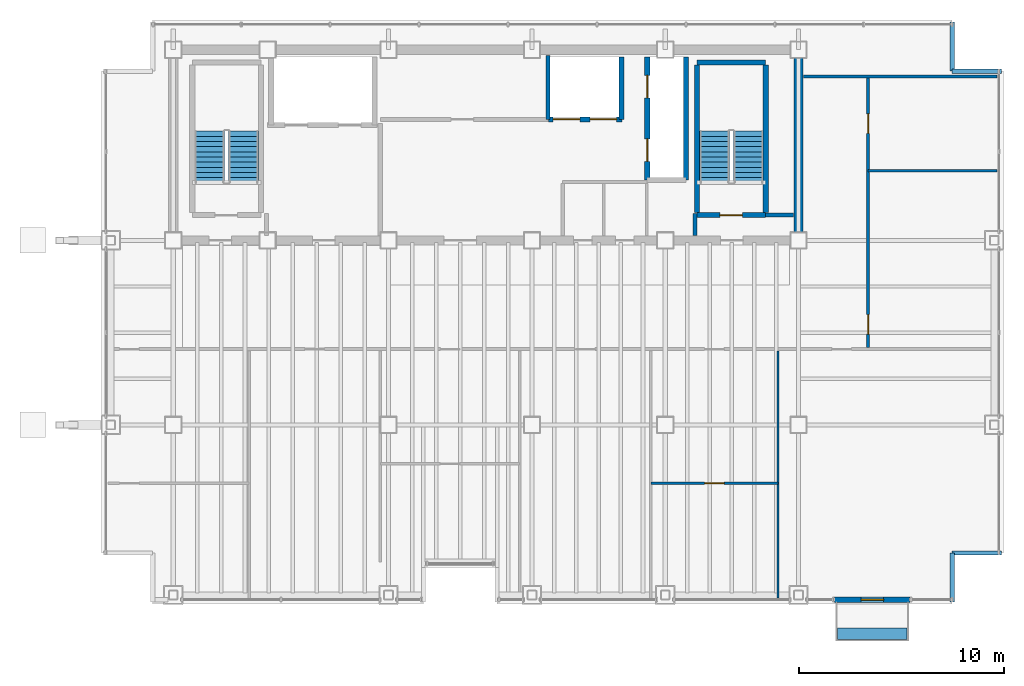
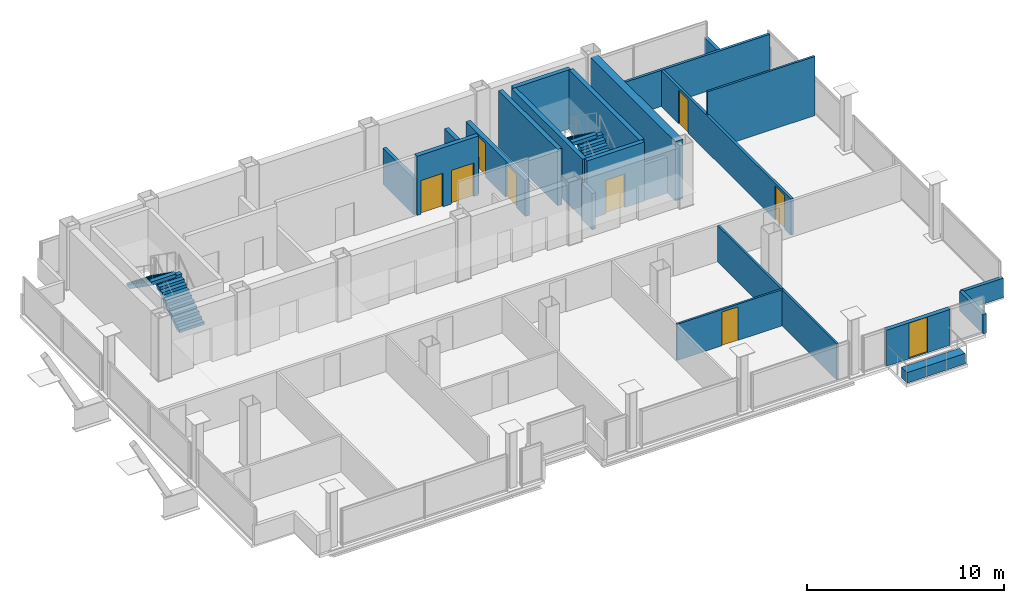
# One storey, part 15 of 17: 22 walls, 9 doors, 4 stair flights, 1 discrete accessory, 9 openings, 2 elements without a shape of their own.
"""IFC4 building model written with IfcOpenShell, lengths in metres."""

import ifcopenshell
import ifcopenshell.guid

model = None  # the IFC model being written
_history = None  # IfcOwnerHistory: only IFC2X3 demands one
_inside = {}  # id of a spatial element -> (the spatial element, [elements in it])
_under = {}  # id of a project, library or spatial element -> (it, [spatial elements below it])
_declared = {}  # id of a project -> (the project, [libraries it declares])
_typed = {}  # id of a type object -> (the type object, [elements of that type])
_made_of = {}  # id of a material, layer set ... -> (it, [elements and type objects made of it])


def new_model(schema):
    """Start an empty IFC model of exactly this schema.

    Asked for "IFC4X3", IfcOpenShell would pick the latest addendum, in which some entities
    have other attributes; the version numbers below select the first issue.
    IFC2X3 requires an IfcOwnerHistory on every rooted entity: one is made here for all.
    """
    global model, _history
    if schema == "IFC4X3":
        model = ifcopenshell.file(schema_version=(4, 3, 0, 0))
    else:
        model = ifcopenshell.file(schema=schema)
    _inside.clear()
    _under.clear()
    _declared.clear()
    _typed.clear()
    _made_of.clear()
    _history = None
    if model.schema == "IFC2X3":
        org = make("IfcOrganization", Name="unknown")
        user = make(
            "IfcPersonAndOrganization",
            ThePerson=make("IfcPerson", FamilyName="unknown"),
            TheOrganization=org,
        )
        app = make(
            "IfcApplication",
            ApplicationDeveloper=org,
            Version="unknown",
            ApplicationFullName="unknown",
            ApplicationIdentifier="unknown",
        )
        _history = make(
            "IfcOwnerHistory",
            OwningUser=user,
            OwningApplication=app,
            ChangeAction="ADDED",
            CreationDate=0,
        )
    return model


def make(cls, **values):
    """One entity of the class cls with the attributes given. An attribute that is None is left unset."""
    return model.create_entity(
        cls, **{name: value for name, value in values.items() if value is not None}
    )


def rooted(cls, **values):
    """An entity with a GlobalId (a new one), such as an element, a storey or a relation."""
    return make(cls, GlobalId=ifcopenshell.guid.new(), OwnerHistory=_history, **values)


def si_unit(unit_type, name, prefix=None):
    """IfcSIUnit, for example si_unit("LENGTHUNIT", "METRE", prefix="MILLI")."""
    return make("IfcSIUnit", UnitType=unit_type, Prefix=prefix, Name=name)


def assignment(units):
    """IfcUnitAssignment: the units of a project."""
    return None if units is None else make("IfcUnitAssignment", Units=units)


def point(xyz):
    """IfcCartesianPoint."""
    return None if xyz is None else make("IfcCartesianPoint", Coordinates=xyz)


def direction(xyz):
    """IfcDirection."""
    return None if xyz is None else make("IfcDirection", DirectionRatios=xyz)


def frame(location, z_axis=None, x_axis=None):
    """IfcAxis2Placement3D, a coordinate frame: its origin and axes. An axis left out is left unset."""
    return make(
        "IfcAxis2Placement3D",
        Location=point(location),
        Axis=direction(z_axis),
        RefDirection=direction(x_axis),
    )


def frame_2d(location, x_axis=None):
    """IfcAxis2Placement2D, a coordinate frame in the plane: its origin and x axis."""
    return make(
        "IfcAxis2Placement2D", Location=point(location), RefDirection=direction(x_axis)
    )


def origin():
    """The frame at (0, 0, 0) with its axes left unset."""
    return frame((0.0, 0.0, 0.0))


def origin_2d():
    """The frame at (0, 0) in the plane with its x axis left unset."""
    return frame_2d((0.0, 0.0))


def place(relative_to, where):
    """IfcLocalPlacement: puts the frame where relative to a parent placement (None: the world)."""
    return make(
        "IfcLocalPlacement", PlacementRelTo=relative_to, RelativePlacement=where
    )


def context(
    kind, dimensions, precision=None, world=None, true_north=None, identifier=None
):
    """IfcGeometricRepresentationContext, for example the 3D "Model" context."""
    return make(
        "IfcGeometricRepresentationContext",
        ContextIdentifier=identifier,
        ContextType=kind,
        CoordinateSpaceDimension=dimensions,
        Precision=precision,
        WorldCoordinateSystem=world,
        TrueNorth=true_north,
    )


def subcontext(parent, identifier, kind, view, scale=None):
    """IfcGeometricRepresentationSubContext, for example "Body" below "Model"."""
    return make(
        "IfcGeometricRepresentationSubContext",
        ContextIdentifier=identifier,
        ContextType=kind,
        ParentContext=parent,
        TargetScale=scale,
        TargetView=view,
    )


def project(units=None, contexts=None):
    """IfcProject with its units and contexts."""
    return rooted(
        "IfcProject",
        Name="project",
        RepresentationContexts=contexts,
        UnitsInContext=assignment(units),
    )


def spatial(cls, under=None, at=None, **own):
    """A site, building, storey or space (cls), placed at a placement, below another one or the project."""
    s = rooted(cls, ObjectPlacement=at, **own)
    if under is not None:
        _under.setdefault(under.id(), (under, []))[1].append(s)
    return s


def polyline(points):
    """IfcPolyline through the points."""
    return make("IfcPolyline", Points=[point(p) for p in points])


def profile(cls, at=None, kind="AREA", **sizes):
    """A parametric profile (cls). Its sizes go by their IFC names, for example OverallWidth=200.0."""
    return make(cls, ProfileType=kind, Position=at, **sizes)


def rectangle(**sizes):
    """IfcRectangleProfileDef."""
    return profile("IfcRectangleProfileDef", **sizes)


def outline(outer, holes=None, kind="AREA"):
    """IfcArbitraryClosedProfileDef: a profile drawn as a closed curve; with holes, ...WithVoids."""
    if holes is None:
        return make("IfcArbitraryClosedProfileDef", ProfileType=kind, OuterCurve=outer)
    return make(
        "IfcArbitraryProfileDefWithVoids",
        ProfileType=kind,
        OuterCurve=outer,
        InnerCurves=holes,
    )


def extrude(swept, where, along, depth):
    """IfcExtrudedAreaSolid: the profile swept, set in the frame where, extruded along a direction by depth."""
    return make(
        "IfcExtrudedAreaSolid",
        SweptArea=swept,
        Position=where,
        ExtrudedDirection=direction(along),
        Depth=depth,
    )


def shape(context_of_items, identifier, shape_type, items):
    """IfcShapeRepresentation: the items that make up one representation, for example the "Body"."""
    return make(
        "IfcShapeRepresentation",
        ContextOfItems=context_of_items,
        RepresentationIdentifier=identifier,
        RepresentationType=shape_type,
        Items=items,
    )


def material(Name=None, Category=None):
    """IfcMaterial."""
    return make("IfcMaterial", Name=Name, Category=Category)


def layer(
    of_material, thickness, ventilated=None, Name=None, Category=None, Priority=None
):
    """IfcMaterialLayer: one layer of a wall or slab, of a material (None: an air gap)."""
    return make(
        "IfcMaterialLayer",
        Material=of_material,
        LayerThickness=thickness,
        IsVentilated=ventilated,
        Name=Name,
        Category=Category,
        Priority=Priority,
    )


def layer_set(layers, Name=None):
    """IfcMaterialLayerSet."""
    return make("IfcMaterialLayerSet", MaterialLayers=layers, LayerSetName=Name)


def made_of(thing, what):
    """Note that an element or type object is made of a material, layer set ...; save() writes the relation."""
    if what is not None:
        _made_of.setdefault(what.id(), (what, []))[1].append(thing)
    return thing


def type_object(cls, material=None, **own):
    """A type object (cls), such as IfcWallType, which elements share."""
    return made_of(rooted(cls, **own), material)


def element(
    cls,
    number,
    at=None,
    inside=None,
    cuts=None,
    type_object=None,
    material=None,
    context=None,
    identifier="Body",
    shape_type=None,
    held_by="IfcProductDefinitionShape",
    body=None,
    shapes=None,
    **own,
):
    """One element of the class cls, such as IfcWall. Its Tag is "e" and its number.

    at: its placement. inside: the storey or other place that contains it. cuts: it is an
    opening in that element (IfcRelVoidsElement). A single representation is given by context,
    identifier, shape_type and body (its items); several are given by shapes. held_by: the class
    of the entity that holds the representations. save() writes the other relations.
    """
    e = rooted(cls, Tag="e%d" % number, ObjectPlacement=at, **own)
    if body is not None:
        shapes = [shape(context, identifier, shape_type, body)]
    if shapes is not None:
        e.Representation = make(held_by, Representations=shapes)
    if inside is not None:
        _inside.setdefault(inside.id(), (inside, []))[1].append(e)
    if cuts is not None:
        rooted(
            "IfcRelVoidsElement", RelatingBuildingElement=cuts, RelatedOpeningElement=e
        )
    if type_object is not None:
        _typed.setdefault(type_object.id(), (type_object, []))[1].append(e)
    return made_of(e, material)


def fill(opening, filler):
    """IfcRelFillsElement: the door or window that sits in an opening."""
    return rooted(
        "IfcRelFillsElement",
        RelatingOpeningElement=opening,
        RelatedBuildingElement=filler,
    )


def aggregate(whole, parts):
    """IfcRelAggregates: a whole, such as a stair, and the parts it consists of."""
    return rooted("IfcRelAggregates", RelatingObject=whole, RelatedObjects=parts)


def save(model, path):
    """Write the relations noted so far, then the file.

    IfcRelAggregates (storeys below a building ...), IfcRelContainedInSpatialStructure (elements
    in a storey), IfcRelDefinesByType, IfcRelAssociatesMaterial and IfcRelDeclares: one each for
    every whole, place, type object, material and project.
    """
    for whole, parts in _under.values():
        aggregate(whole, parts)
    for where, things in _inside.values():
        rooted(
            "IfcRelContainedInSpatialStructure",
            RelatedElements=things,
            RelatingStructure=where,
        )
    for kind, things in _typed.values():
        rooted("IfcRelDefinesByType", RelatedObjects=things, RelatingType=kind)
    for what, things in _made_of.values():
        rooted("IfcRelAssociatesMaterial", RelatedObjects=things, RelatingMaterial=what)
    for by, libraries in _declared.values():
        rooted("IfcRelDeclares", RelatingContext=by, RelatedDefinitions=libraries)
    model.write(path)


model = new_model("IFC4")

# Units and contexts
model_context = context("Model", 3, precision=1e-05, world=origin(), true_north=direction((0.0, 1.0)))
body_context = subcontext(model_context, "Body", "Model", "MODEL_VIEW")
ifc_project = project(units=[si_unit("LENGTHUNIT", "METRE"), si_unit("AREAUNIT", "SQUARE_METRE"), si_unit("VOLUMEUNIT", "CUBIC_METRE"), si_unit("PLANEANGLEUNIT", "RADIAN"), si_unit("MASSUNIT", "GRAM", prefix="KILO")], contexts=[model_context])

# Site, building, storey
site_placement = place(None, origin())
site = spatial("IfcSite", under=ifc_project, at=site_placement, CompositionType="ELEMENT")
building_placement = place(site_placement, origin())
building = spatial("IfcBuilding", under=site, at=building_placement, Name="Noeulbin Bourse Tower", CompositionType="ELEMENT")
storey_placement = place(building_placement, frame((0.0, 0.0, 226.699951171875)))
storey = spatial("IfcBuildingStorey", under=building, at=storey_placement, Name="L56", CompositionType="ELEMENT", Elevation=226.699951171875)

# Wall
ifc_material_1 = material(Name="Concrete C50/60", Category="concrete")
ifc_layer_1 = layer(ifc_material_1, 0.449951171875)
ifc_layer_set_1 = layer_set([ifc_layer_1], Name="Concrete C50/60")
wall_type_1 = type_object("IfcWallType", Name="WAL-CORE-450", PredefinedType="SHEAR", material=ifc_layer_set_1)
wall_1_placement = place(storey_placement, frame((44.0, 29.35009765625, 0.0), z_axis=(0.0, 0.0, 1.0), x_axis=(0.0, 1.0, 0.0)))
element("IfcWall", 1, at=wall_1_placement, inside=storey, type_object=wall_type_1, Name="Rear Core East Shear Wall L56", PredefinedType="SHEAR", context=body_context, shape_type="SweptSolid", body=[
    extrude(rectangle(XDim=8.599853515625, YDim=0.449951171875, at=frame_2d((4.2998046875, 0.0))), origin(), (0.0, 0.0, 1.0), 3.66015625),
])

# Wall, opening, door
ifc_material_2 = material(Name="Precast Concrete C40/50", Category="concrete")
ifc_layer_2 = layer(ifc_material_2, 0.25)
ifc_layer_set_2 = layer_set([ifc_layer_2], Name="Precast Concrete C40/50")
wall_type_2 = type_object("IfcWallType", Name="WAL-EXT-250", PredefinedType="STANDARD", material=ifc_layer_set_2)
wall_2_placement = place(storey_placement, frame((45.75, 11.469970703125, 0.0), z_axis=(0.0, 0.0, 1.0), x_axis=(1.0, 0.0, 0.0)))
wall_2 = element("IfcWall", 2, at=wall_2_placement, inside=storey, type_object=wall_type_2, Name="Balcony Threshold Wall L56", PredefinedType="STANDARD", context=body_context, shape_type="SweptSolid", body=[
    extrude(rectangle(XDim=3.699951171875, YDim=0.25, at=frame_2d((1.85009765625, 0.0))), origin(), (0.0, 0.0, 1.0), 2.219970703125),
])
opening_1_placement = place(wall_2_placement, frame((1.300048828125, 0.0, 0.0)))
opening_1 = element("IfcOpeningElement", 3, at=opening_1_placement, cuts=wall_2, Name="Opening BD-11", PredefinedType="OPENING", context=body_context, shape_type="SweptSolid", body=[
    extrude(rectangle(XDim=1.10009765625, YDim=2.199951171875, at=frame_2d((0.550048828125, 1.10009765625))), frame((0.0, 0.135009765625, 0.0), z_axis=(0.0, -1.0, 0.0), x_axis=(1.0, 0.0, 0.0)), (0.0, 0.0, 1.0), 0.27001953125),
])
ifc_material_3 = material(Name="Thermally Broken Aluminium Framed Glass", Category="aluminium")
door_type_1 = type_object("IfcDoorType", Name="DR-BAL-1100", OperationType="SINGLE_SWING_LEFT", PredefinedType="DOOR", material=ifc_material_3)
door_1_placement = place(opening_1_placement, origin())
door_1 = element("IfcDoor", 4, at=door_1_placement, inside=storey, type_object=door_type_1, Name="Tree-Balcony Access Door BD-L56", OperationType="SINGLE_SWING_RIGHT", OverallHeight=2.199951171875, OverallWidth=1.10009765625, PredefinedType="DOOR", context=body_context, shape_type="SweptSolid", body=[
    extrude(rectangle(XDim=1.10009765625, YDim=2.199951171875, at=frame_2d((0.550048828125, 1.10009765625))), frame((0.0, 0.02490234375, 0.0), z_axis=(0.0, -1.0, 0.0), x_axis=(1.0, 0.0, 0.0)), (0.0, 0.0, 1.0), 0.050048828125),
])
fill(opening_1, door_1)

# Walls
ifc_material_4 = material(Name="Concrete C40/50", Category="concrete")
ifc_layer_3 = layer(ifc_material_4, 0.199951171875)
ifc_layer_set_3 = layer_set([ifc_layer_3], Name="Concrete C40/50")
wall_type_3 = type_object("IfcWallType", Name="WAL-FIRE-200", PredefinedType="STANDARD", material=ifc_layer_set_3)
wall_3_placement = place(storey_placement, frame((42.39990234375, 30.239990234375, 0.0), z_axis=(0.0, 0.0, 1.0), x_axis=(1.0, 0.0, 0.0)))
element("IfcWall", 5, at=wall_3_placement, inside=storey, type_object=wall_type_3, Name="Interior Partition Wall L56-01", PredefinedType="STANDARD", context=body_context, shape_type="SweptSolid", body=[
    extrude(rectangle(XDim=1.364990234375, YDim=0.199951171875, at=frame_2d((0.6826171875, 0.0))), origin(), (0.0, 0.0, 1.0), 2.239990234375),
])
wall_4_placement = place(storey_placement, frame((38.949951171875, 29.235107421875, 0.0), z_axis=(0.0, 0.0, 1.0), x_axis=(0.0, 1.0, 0.0)))
element("IfcWall", 6, at=wall_4_placement, inside=storey, type_object=wall_type_3, Name="Interior Partition Wall L56-11", PredefinedType="STANDARD", context=body_context, shape_type="SweptSolid", body=[
    extrude(rectangle(XDim=1.06494140625, YDim=0.199951171875, at=frame_2d((0.532470703125, 0.0))), origin(), (0.0, 0.0, 1.0), 2.239990234375),
])
ifc_layer_4 = layer(ifc_material_4, 0.199951171875)
ifc_layer_set_4 = layer_set([ifc_layer_4], Name="Concrete C40/50")
wall_type_4 = type_object("IfcWallType", Name="WAL-PAR-200", PredefinedType="PARAPET", material=ifc_layer_set_4)
for number, where, z_axis, x_axis, name in (
    (7, (51.5, 11.35009765625, 0.0), (0.0, 0.0, 1.0), (0.0, 1.0, 0.0), "Corner Notch Parapet L56-SE1"),
    (8, (51.5, 13.75, 0.0), (0.0, 0.0, 1.0), (1.0, 0.0, 0.0), "Corner Notch Parapet L56-SE2"),
    (9, (51.5, 39.64990234375, 0.0), (0.0, 0.0, 1.0), (0.0, -1.0, 0.0), "Corner Notch Parapet L56-NE1"),
    (10, (51.5, 37.25, 0.0), (0.0, 0.0, 1.0), (1.0, 0.0, 0.0), "Corner Notch Parapet L56-NE2"),
):
    element("IfcWall", number, at=place(storey_placement, frame(where, z_axis=z_axis, x_axis=x_axis)), inside=storey, type_object=wall_type_4, Name=name, PredefinedType="PARAPET", context=body_context, shape_type="SweptSolid", body=[
        extrude(rectangle(XDim=2.39990234375, YDim=0.199951171875, at=frame_2d((1.199951171875, 0.0))), origin(), (0.0, 0.0, 1.0), 1.199951171875),
    ])

# Wall, opening, door
ifc_material_5 = material(Name="Steel Stud Gypsum Partition", Category="steel")
ifc_layer_5 = layer(ifc_material_5, 0.1201171875)
ifc_layer_set_5 = layer_set([ifc_layer_5], Name="Steel Stud Gypsum Partition")
wall_type_5 = type_object("IfcWallType", Name="WAL-PRT-120", PredefinedType="PARTITIONING", material=ifc_layer_set_5)
wall_5_placement = place(storey_placement, frame((36.800048828125, 17.14404296875, 0.0), z_axis=(0.0, 0.0, 1.0), x_axis=(1.0, 0.0, 0.0)))
wall_5 = element("IfcWall", 11, at=wall_5_placement, inside=storey, type_object=wall_type_5, Name="Interior Partition Wall L56-08", PredefinedType="PARTITIONING", context=body_context, shape_type="SweptSolid", body=[
    extrude(rectangle(XDim=6.199951171875, YDim=0.1201171875, at=frame_2d((3.10009765625, 0.0))), origin(), (0.0, 0.0, 1.0), 2.239990234375),
])
opening_2_placement = place(wall_5_placement, frame((2.625, 0.0, 0.0)))
opening_2 = element("IfcOpeningElement", 12, at=opening_2_placement, cuts=wall_5, Name="Opening ID-09", PredefinedType="OPENING", context=body_context, shape_type="SweptSolid", body=[
    extrude(rectangle(XDim=0.949951171875, YDim=2.080078125, at=frame_2d((0.47509765625, 1.0400390625))), frame((0.0, 0.070068359375, 0.0), z_axis=(0.0, -1.0, 0.0), x_axis=(1.0, 0.0, 0.0)), (0.0, 0.0, 1.0), 0.14013671875),
])
ifc_material_6 = material(Name="Acoustic Solid-Core Timber", Category="wood")
door_type_2 = type_object("IfcDoorType", Name="DR-SINGLE-950", OperationType="SINGLE_SWING_LEFT", PredefinedType="DOOR", material=ifc_material_6)
door_2_placement = place(opening_2_placement, origin())
door_2 = element("IfcDoor", 13, at=door_2_placement, inside=storey, type_object=door_type_2, Name="Interior Door L56-14", OperationType="SINGLE_SWING_LEFT", OverallHeight=2.080078125, OverallWidth=0.949951171875, PredefinedType="DOOR", context=body_context, shape_type="SweptSolid", body=[
    extrude(rectangle(XDim=0.949951171875, YDim=2.080078125, at=frame_2d((0.47509765625, 1.0400390625))), frame((0.0, 0.02490234375, 0.0), z_axis=(0.0, -1.0, 0.0), x_axis=(1.0, 0.0, 0.0)), (0.0, 0.0, 1.0), 0.050048828125),
])
fill(opening_2, door_2)

# Walls
wall_6_placement = place(storey_placement, frame((47.39990234375, 32.39990234375, 0.0), z_axis=(0.0, 0.0, 1.0), x_axis=(1.0, 0.0, 0.0)))
element("IfcWall", 14, at=wall_6_placement, inside=storey, type_object=wall_type_5, Name="Interior Partition Wall L56-09", PredefinedType="PARTITIONING", context=body_context, shape_type="SweptSolid", body=[
    extrude(rectangle(XDim=6.2900390625, YDim=0.1201171875, at=frame_2d((3.14501953125, 0.0))), origin(), (0.0, 0.0, 1.0), 3.66015625),
])
wall_7_placement = place(storey_placement, frame((43.0, 11.56005859375, 0.0), z_axis=(0.0, 0.0, 1.0), x_axis=(0.0, 1.0, 0.0)))
element("IfcWall", 15, at=wall_7_placement, inside=storey, type_object=wall_type_5, Name="Interior Partition Wall L56-21", PredefinedType="PARTITIONING", context=body_context, shape_type="SweptSolid", body=[
    extrude(rectangle(XDim=12.054931640625, YDim=0.1201171875, at=frame_2d((6.02734375, 0.0))), origin(), (0.0, 0.0, 1.0), 2.239990234375),
])
ifc_material_7 = material(Name="Steel Stud Acoustic Gypsum Board", Category="steel")
ifc_layer_6 = layer(ifc_material_7, 0.14990234375)
ifc_layer_set_6 = layer_set([ifc_layer_6], Name="Steel Stud Acoustic Gypsum Board")
wall_type_6 = type_object("IfcWallType", Name="WAL-PRT-150", PredefinedType="PARTITIONING", material=ifc_layer_set_6)
wall_8_placement = place(storey_placement, frame((44.235107421875, 37.0, 0.0), z_axis=(0.0, 0.0, 1.0), x_axis=(1.0, 0.0, 0.0)))
element("IfcWall", 16, at=wall_8_placement, inside=storey, type_object=wall_type_6, Name="Interior Partition Wall L56-05", PredefinedType="PARTITIONING", context=body_context, shape_type="SweptSolid", body=[
    extrude(rectangle(XDim=9.454833984375, YDim=0.14990234375, at=frame_2d((4.7275390625, 0.0))), origin(), (0.0, 0.0, 1.0), 2.239990234375),
])

# Wall, openings, doors
wall_9_placement = place(storey_placement, frame((47.39990234375, 23.784912109375, 0.0), z_axis=(0.0, 0.0, 1.0), x_axis=(0.0, 1.0, 0.0)))
wall_9 = element("IfcWall", 17, at=wall_9_placement, inside=storey, type_object=wall_type_6, Name="Interior Partition Wall L56-16", PredefinedType="PARTITIONING", context=body_context, shape_type="SweptSolid", body=[
    extrude(rectangle(XDim=13.130126953125, YDim=0.14990234375, at=frame_2d((6.56494140625, 0.0))), origin(), (0.0, 0.0, 1.0), 2.239990234375),
])
opening_3_placement = place(wall_9_placement, frame((0.639892578125, 0.0, 0.0)))
opening_3 = element("IfcOpeningElement", 18, at=opening_3_placement, cuts=wall_9, Name="Opening ID-09", PredefinedType="OPENING", context=body_context, shape_type="SweptSolid", body=[
    extrude(rectangle(XDim=0.949951171875, YDim=2.080078125, at=frame_2d((0.47509765625, 1.0400390625))), frame((0.0, 0.0849609375, 0.0), z_axis=(0.0, -1.0, 0.0), x_axis=(1.0, 0.0, 0.0)), (0.0, 0.0, 1.0), 0.169921875),
])
opening_4_placement = place(wall_9_placement, frame((10.43994140625, 0.0, 0.0)))
opening_4 = element("IfcOpeningElement", 19, at=opening_4_placement, cuts=wall_9, Name="Opening ID-09", PredefinedType="OPENING", context=body_context, shape_type="SweptSolid", body=[
    extrude(rectangle(XDim=0.949951171875, YDim=2.080078125, at=frame_2d((0.47509765625, 1.0400390625))), frame((0.0, 0.0849609375, 0.0), z_axis=(0.0, -1.0, 0.0), x_axis=(1.0, 0.0, 0.0)), (0.0, 0.0, 1.0), 0.169921875),
])
door_3_placement = place(opening_3_placement, origin())
door_3 = element("IfcDoor", 20, at=door_3_placement, inside=storey, type_object=door_type_2, Name="Interior Door L56-17", OperationType="SINGLE_SWING_RIGHT", OverallHeight=2.080078125, OverallWidth=0.949951171875, PredefinedType="DOOR", context=body_context, shape_type="SweptSolid", body=[
    extrude(rectangle(XDim=0.949951171875, YDim=2.080078125, at=frame_2d((0.47509765625, 1.0400390625))), frame((0.0, 0.02490234375, 0.0), z_axis=(0.0, -1.0, 0.0), x_axis=(1.0, 0.0, 0.0)), (0.0, 0.0, 1.0), 0.050048828125),
])
fill(opening_3, door_3)
door_4_placement = place(opening_4_placement, origin())
door_4 = element("IfcDoor", 21, at=door_4_placement, inside=storey, type_object=door_type_2, Name="Interior Door L56-18", OperationType="SINGLE_SWING_LEFT", OverallHeight=2.080078125, OverallWidth=0.949951171875, PredefinedType="DOOR", context=body_context, shape_type="SweptSolid", body=[
    extrude(rectangle(XDim=0.949951171875, YDim=2.080078125, at=frame_2d((0.47509765625, 1.0400390625))), frame((0.0, 0.02490234375, 0.0), z_axis=(0.0, -1.0, 0.0), x_axis=(1.0, 0.0, 0.0)), (0.0, 0.0, 1.0), 0.050048828125),
])
fill(opening_4, door_4)

# Wall, opening, door
ifc_layer_7 = layer(ifc_material_4, 0.25)
ifc_layer_set_7 = layer_set([ifc_layer_7], Name="Concrete C40/50")
wall_type_7 = type_object("IfcWallType", Name="WAL-SHFT-250", PredefinedType="STANDARD", material=ifc_layer_set_7)
wall_10_placement = place(storey_placement, frame((39.06005859375, 30.235107421875, 0.0), z_axis=(0.0, 0.0, 1.0), x_axis=(1.0, 0.0, 0.0)))
wall_10 = element("IfcWall", 22, at=wall_10_placement, inside=storey, type_object=wall_type_7, Name="Stair ST-2 South Shaft Wall L56", PredefinedType="STANDARD", context=body_context, shape_type="SweptSolid", body=[
    extrude(rectangle(XDim=3.33984375, YDim=0.25, at=frame_2d((1.669921875, 0.0))), origin(), (0.0, 0.0, 1.0), 3.66015625),
])
opening_5_placement = place(wall_10_placement, frame((1.10009765625, 0.0, 0.0)))
opening_5 = element("IfcOpeningElement", 23, at=opening_5_placement, cuts=wall_10, Name="Opening FD-11", PredefinedType="OPENING", context=body_context, shape_type="SweptSolid", body=[
    extrude(rectangle(XDim=1.10009765625, YDim=2.080078125, at=frame_2d((0.550048828125, 1.0400390625))), frame((0.0, 0.135009765625, 0.0), z_axis=(0.0, -1.0, 0.0), x_axis=(1.0, 0.0, 0.0)), (0.0, 0.0, 1.0), 0.27001953125),
])
ifc_material_8 = material(Name="Fire-Rated Insulated Steel", Category="steel")
door_type_3 = type_object("IfcDoorType", Name="DR-FD60-1100", OperationType="SINGLE_SWING_LEFT", PredefinedType="DOOR", material=ifc_material_8)
door_5_placement = place(opening_5_placement, origin())
door_5 = element("IfcDoor", 24, at=door_5_placement, inside=storey, type_object=door_type_3, Name="Protected Stair Entry Door ST2-L56", OperationType="SINGLE_SWING_LEFT", OverallHeight=2.080078125, OverallWidth=1.10009765625, PredefinedType="DOOR", context=body_context, shape_type="SweptSolid", body=[
    extrude(rectangle(XDim=1.10009765625, YDim=2.080078125, at=frame_2d((0.550048828125, 1.0400390625))), frame((0.0, 0.02490234375, 0.0), z_axis=(0.0, -1.0, 0.0), x_axis=(1.0, 0.0, 0.0)), (0.0, 0.0, 1.0), 0.050048828125),
])
fill(opening_5, door_5)

# Walls
wall_11_placement = place(storey_placement, frame((39.06005859375, 37.6689453125, 0.0), z_axis=(0.0, 0.0, 1.0), x_axis=(1.0, 0.0, 0.0)))
element("IfcWall", 25, at=wall_11_placement, inside=storey, type_object=wall_type_7, Name="Stair ST-2 North Shaft Wall L56", PredefinedType="STANDARD", context=body_context, shape_type="SweptSolid", body=[
    extrude(rectangle(XDim=3.33984375, YDim=0.25, at=frame_2d((1.669921875, 0.0))), origin(), (0.0, 0.0, 1.0), 3.66015625),
])
for number, where, z_axis, x_axis, name in (
    (26, (39.054931640625, 30.360107421875, 0.0), (0.0, 0.0, 1.0), (0.0, 1.0, 0.0), "Stair ST-2 West Shaft Wall L56"),
    (27, (42.405029296875, 30.360107421875, 0.0), (0.0, 0.0, 1.0), (0.0, 1.0, 0.0), "Stair ST-2 East Shaft Wall L56"),
):
    element("IfcWall", number, at=place(storey_placement, frame(where, z_axis=z_axis, x_axis=x_axis)), inside=storey, type_object=wall_type_7, Name=name, PredefinedType="STANDARD", context=body_context, shape_type="SweptSolid", body=[
        extrude(rectangle(XDim=7.183837890625, YDim=0.25, at=frame_2d((3.591796875, 0.0))), origin(), (0.0, 0.0, 1.0), 3.66015625),
    ])

# Wall, openings, doors
wall_12_placement = place(storey_placement, frame((36.6201171875, 31.949951171875, 0.0), z_axis=(0.0, 0.0, 1.0), x_axis=(0.0, 1.0, 0.0)))
wall_12 = element("IfcWall", 28, at=wall_12_placement, inside=storey, type_object=wall_type_7, Name="Service Lift Shaft Wall L56", PredefinedType="STANDARD", context=body_context, shape_type="SweptSolid", body=[
    extrude(rectangle(XDim=6.0, YDim=0.25, at=frame_2d((3.0, 0.0))), origin(), (0.0, 0.0, 1.0), 2.239990234375),
])
opening_6_placement = place(wall_12_placement, frame((0.89990234375, 0.0, 0.0)))
opening_6 = element("IfcOpeningElement", 29, at=opening_6_placement, cuts=wall_12, Name="Opening LD-11", PredefinedType="OPENING", context=body_context, shape_type="SweptSolid", body=[
    extrude(rectangle(XDim=1.10009765625, YDim=2.080078125, at=frame_2d((0.550048828125, 1.0400390625))), frame((0.0, 0.135009765625, 0.0), z_axis=(0.0, -1.0, 0.0), x_axis=(1.0, 0.0, 0.0)), (0.0, 0.0, 1.0), 0.27001953125),
])
opening_7_placement = place(wall_12_placement, frame((4.0, 0.0, 0.0)))
opening_7 = element("IfcOpeningElement", 30, at=opening_7_placement, cuts=wall_12, Name="Opening LD-11", PredefinedType="OPENING", context=body_context, shape_type="SweptSolid", body=[
    extrude(rectangle(XDim=1.10009765625, YDim=2.080078125, at=frame_2d((0.550048828125, 1.0400390625))), frame((0.0, 0.135009765625, 0.0), z_axis=(0.0, -1.0, 0.0), x_axis=(1.0, 0.0, 0.0)), (0.0, 0.0, 1.0), 0.27001953125),
])
ifc_material_9 = material(Name="Brushed Stainless Steel 316", Category="steel")
door_type_4 = type_object("IfcDoorType", Name="DR-LIFT-1100", OperationType="SLIDING_TO_LEFT", PredefinedType="DOOR", material=ifc_material_9)
door_6_placement = place(opening_6_placement, origin())
door_6 = element("IfcDoor", 31, at=door_6_placement, inside=storey, type_object=door_type_4, Name="Lift Landing Door LD-EL-01-L56", OperationType="SLIDING_TO_LEFT", OverallHeight=2.080078125, OverallWidth=1.10009765625, PredefinedType="DOOR", context=body_context, shape_type="SweptSolid", body=[
    extrude(rectangle(XDim=1.10009765625, YDim=2.080078125, at=frame_2d((0.550048828125, 1.0400390625))), frame((0.0, 0.02490234375, 0.0), z_axis=(0.0, -1.0, 0.0), x_axis=(1.0, 0.0, 0.0)), (0.0, 0.0, 1.0), 0.050048828125),
])
fill(opening_6, door_6)
door_7_placement = place(opening_7_placement, origin())
door_7 = element("IfcDoor", 32, at=door_7_placement, inside=storey, type_object=door_type_4, Name="Lift Landing Door LD-SV-01-L56", OperationType="SLIDING_TO_LEFT", OverallHeight=2.080078125, OverallWidth=1.10009765625, PredefinedType="DOOR", context=body_context, shape_type="SweptSolid", body=[
    extrude(rectangle(XDim=1.10009765625, YDim=2.080078125, at=frame_2d((0.550048828125, 1.0400390625))), frame((0.0, 0.02490234375, 0.0), z_axis=(0.0, -1.0, 0.0), x_axis=(1.0, 0.0, 0.0)), (0.0, 0.0, 1.0), 0.050048828125),
])
fill(opening_7, door_7)

# Walls
wall_13_placement = place(storey_placement, frame((38.52001953125, 31.949951171875, 0.0), z_axis=(0.0, 0.0, 1.0), x_axis=(0.0, 1.0, 0.0)))
element("IfcWall", 33, at=wall_13_placement, inside=storey, type_object=wall_type_7, Name="Service Lift East Shaft Wall L56", PredefinedType="STANDARD", context=body_context, shape_type="SweptSolid", body=[
    extrude(rectangle(XDim=6.0, YDim=0.25, at=frame_2d((3.0, 0.0))), origin(), (0.0, 0.0, 1.0), 3.47998046875),
])
wall_14_placement = place(storey_placement, frame((35.360107421875, 34.89990234375, 0.0), z_axis=(0.0, 0.0, 1.0), x_axis=(0.0, 1.0, 0.0)))
element("IfcWall", 34, at=wall_14_placement, inside=storey, type_object=wall_type_7, Name="High-Rise Lift East Shaft Wall L56", PredefinedType="STANDARD", context=body_context, shape_type="SweptSolid", body=[
    extrude(rectangle(XDim=3.050048828125, YDim=0.25, at=frame_2d((1.52490234375, 0.0))), origin(), (0.0, 0.0, 1.0), 2.239990234375),
])

# Wall, openings, doors
wall_15_placement = place(storey_placement, frame((31.800048828125, 34.89990234375, 0.0), z_axis=(0.0, 0.0, 1.0), x_axis=(1.0, 0.0, 0.0)))
wall_15 = element("IfcWall", 35, at=wall_15_placement, inside=storey, type_object=wall_type_7, Name="High-Rise Lift Bank Front L56", PredefinedType="STANDARD", context=body_context, shape_type="SweptSolid", body=[
    extrude(rectangle(XDim=3.599853515625, YDim=0.25, at=frame_2d((1.7998046875, 0.0))), origin(), (0.0, 0.0, 1.0), 3.66015625),
])
opening_8_placement = place(wall_15_placement, frame((0.22998046875, 0.0, 0.0)))
opening_8 = element("IfcOpeningElement", 36, at=opening_8_placement, cuts=wall_15, Name="Opening LD-13", PredefinedType="OPENING", context=body_context, shape_type="SweptSolid", body=[
    extrude(rectangle(XDim=1.300048828125, YDim=2.080078125, at=frame_2d((0.64990234375, 1.0400390625))), frame((0.0, 0.135009765625, 0.0), z_axis=(0.0, -1.0, 0.0), x_axis=(1.0, 0.0, 0.0)), (0.0, 0.0, 1.0), 0.27001953125),
])
opening_9_placement = place(wall_15_placement, frame((2.030029296875, 0.0, 0.0)))
opening_9 = element("IfcOpeningElement", 37, at=opening_9_placement, cuts=wall_15, Name="Opening LD-13", PredefinedType="OPENING", context=body_context, shape_type="SweptSolid", body=[
    extrude(rectangle(XDim=1.300048828125, YDim=2.080078125, at=frame_2d((0.64990234375, 1.0400390625))), frame((0.0, 0.135009765625, 0.0), z_axis=(0.0, -1.0, 0.0), x_axis=(1.0, 0.0, 0.0)), (0.0, 0.0, 1.0), 0.27001953125),
])
door_type_5 = type_object("IfcDoorType", Name="DR-LIFT-1300", OperationType="DOUBLE_DOOR_SLIDING", PredefinedType="DOOR", material=ifc_material_9)
door_8_placement = place(opening_8_placement, origin())
door_8 = element("IfcDoor", 38, at=door_8_placement, inside=storey, type_object=door_type_5, Name="Lift Landing Door LD-PL-H1-L56", OperationType="DOUBLE_DOOR_SLIDING", OverallHeight=2.080078125, OverallWidth=1.300048828125, PredefinedType="DOOR", context=body_context, shape_type="SweptSolid", body=[
    extrude(rectangle(XDim=1.300048828125, YDim=2.080078125, at=frame_2d((0.64990234375, 1.0400390625))), frame((0.0, 0.02490234375, 0.0), z_axis=(0.0, -1.0, 0.0), x_axis=(1.0, 0.0, 0.0)), (0.0, 0.0, 1.0), 0.050048828125),
])
fill(opening_8, door_8)
door_9_placement = place(opening_9_placement, origin())
door_9 = element("IfcDoor", 39, at=door_9_placement, inside=storey, type_object=door_type_5, Name="Lift Landing Door LD-PL-H2-L56", OperationType="DOUBLE_DOOR_SLIDING", OverallHeight=2.080078125, OverallWidth=1.300048828125, PredefinedType="DOOR", context=body_context, shape_type="SweptSolid", body=[
    extrude(rectangle(XDim=1.300048828125, YDim=2.080078125, at=frame_2d((0.64990234375, 1.0400390625))), frame((0.0, 0.02490234375, 0.0), z_axis=(0.0, -1.0, 0.0), x_axis=(1.0, 0.0, 0.0)), (0.0, 0.0, 1.0), 0.050048828125),
])
fill(opening_9, door_9)

# Wall
wall_16_placement = place(storey_placement, frame((31.780029296875, 34.89990234375, 0.0), z_axis=(0.0, 0.0, 1.0), x_axis=(0.0, 1.0, 0.0)))
element("IfcWall", 40, at=wall_16_placement, inside=storey, type_object=wall_type_7, Name="Hoistway Side Shaft Wall L56-PLHW", PredefinedType="STANDARD", context=body_context, shape_type="SweptSolid", body=[
    extrude(rectangle(XDim=3.1201171875, YDim=0.199951171875, at=frame_2d((1.56005859375, 0.0))), origin(), (0.0, 0.0, 1.0), 2.239990234375),
])

# Stair, stair flights
stair_type = type_object("IfcStairType", Name="STR-CORE-1560", PredefinedType="HALF_TURN_STAIR", material=ifc_material_4)
stair_1_placement = place(storey_placement, origin())
stair_1 = element("IfcStair", 41, at=stair_1_placement, inside=storey, type_object=stair_type, Name="L56 ST-1", PredefinedType="HALF_TURN_STAIR")
stair_flight_type = type_object("IfcStairFlightType", Name="SFL-CORE-1560", PredefinedType="STRAIGHT", material=ifc_material_4)
stair_flight_1_placement = place(storey_placement, frame((16.925048828125, 31.81005859375, 0.0), z_axis=(0.0, 0.0, 1.0), x_axis=(0.0, 1.0, 0.0)))
stair_flight_1 = element("IfcStairFlight", 42, at=stair_flight_1_placement, type_object=stair_flight_type, Name="ST-1 flight 1", NumberOfRisers=11, NumberOfTreads=10, PredefinedType="STRAIGHT", RiserHeight=0.177272727, TreadLength=0.252, context=body_context, shape_type="SweptSolid", body=[
    extrude(outline(polyline([(0.0, 0.0), (0.0, 0.17724609375), (0.251953125, 0.17724609375), (0.251953125, 0.3544921875), (0.50390625, 0.3544921875), (0.50390625, 0.53173828125), (0.756103515625, 0.53173828125), (0.756103515625, 0.708984375), (1.008056640625, 0.708984375), (1.008056640625, 0.886474609375), (1.260009765625, 0.886474609375), (1.260009765625, 1.063720703125), (1.511962890625, 1.063720703125), (1.511962890625, 1.240966796875), (1.763916015625, 1.240966796875), (1.763916015625, 1.418212890625), (2.01611328125, 1.418212890625), (2.01611328125, 1.595458984375), (2.26806640625, 1.595458984375), (2.26806640625, 1.772705078125), (2.52001953125, 1.772705078125), (2.52001953125, 1.949951171875), (2.52001953125, 1.552734375), (0.312744140625, 0.0), (0.0, 0.0)])), frame((0.0, 0.72509765625, 0.0), z_axis=(0.0, -1.0, 0.0), x_axis=(1.0, 0.0, 0.0)), (0.0, 0.0, 1.0), 1.449951171875),
])
stair_flight_2_placement = place(storey_placement, frame((15.27490234375, 34.330078125, 1.949951171875), z_axis=(0.0, 0.0, 1.0), x_axis=(0.0, -1.0, 0.0)))
stair_flight_2 = element("IfcStairFlight", 43, at=stair_flight_2_placement, type_object=stair_flight_type, Name="ST-1 flight 2", NumberOfRisers=11, NumberOfTreads=10, PredefinedType="STRAIGHT", RiserHeight=0.177272727, TreadLength=0.252, context=body_context, shape_type="SweptSolid", body=[
    extrude(outline(polyline([(0.0, 0.0), (0.0, 0.17724609375), (0.251953125, 0.17724609375), (0.251953125, 0.3544921875), (0.50390625, 0.3544921875), (0.50390625, 0.53173828125), (0.756103515625, 0.53173828125), (0.756103515625, 0.708984375), (1.008056640625, 0.708984375), (1.008056640625, 0.886474609375), (1.260009765625, 0.886474609375), (1.260009765625, 1.063720703125), (1.511962890625, 1.063720703125), (1.511962890625, 1.240966796875), (1.763916015625, 1.240966796875), (1.763916015625, 1.418212890625), (2.01611328125, 1.418212890625), (2.01611328125, 1.595458984375), (2.26806640625, 1.595458984375), (2.26806640625, 1.772705078125), (2.52001953125, 1.772705078125), (2.52001953125, 1.949951171875), (2.52001953125, 1.552734375), (0.312744140625, 0.0), (0.0, 0.0)])), frame((0.0, 0.72509765625, 0.0), z_axis=(0.0, -1.0, 0.0), x_axis=(1.0, 0.0, 0.0)), (0.0, 0.0, 1.0), 1.449951171875),
])
aggregate(stair_1, [stair_flight_1, stair_flight_2])

stair_2_placement = place(storey_placement, origin())
stair_2 = element("IfcStair", 44, at=stair_2_placement, inside=storey, type_object=stair_type, Name="L56 ST-2", PredefinedType="HALF_TURN_STAIR")
stair_flight_3_placement = place(storey_placement, frame((41.554931640625, 31.81005859375, 0.0), z_axis=(0.0, 0.0, 1.0), x_axis=(0.0, 1.0, 0.0)))
stair_flight_3 = element("IfcStairFlight", 45, at=stair_flight_3_placement, type_object=stair_flight_type, Name="ST-2 flight 1", NumberOfRisers=11, NumberOfTreads=10, PredefinedType="STRAIGHT", RiserHeight=0.177272727, TreadLength=0.252, context=body_context, shape_type="SweptSolid", body=[
    extrude(outline(polyline([(0.0, 0.0), (0.0, 0.17724609375), (0.251953125, 0.17724609375), (0.251953125, 0.3544921875), (0.50390625, 0.3544921875), (0.50390625, 0.53173828125), (0.756103515625, 0.53173828125), (0.756103515625, 0.708984375), (1.008056640625, 0.708984375), (1.008056640625, 0.886474609375), (1.260009765625, 0.886474609375), (1.260009765625, 1.063720703125), (1.511962890625, 1.063720703125), (1.511962890625, 1.240966796875), (1.763916015625, 1.240966796875), (1.763916015625, 1.418212890625), (2.01611328125, 1.418212890625), (2.01611328125, 1.595458984375), (2.26806640625, 1.595458984375), (2.26806640625, 1.772705078125), (2.52001953125, 1.772705078125), (2.52001953125, 1.949951171875), (2.52001953125, 1.552734375), (0.312744140625, 0.0), (0.0, 0.0)])), frame((0.0, 0.72509765625, 0.0), z_axis=(0.0, -1.0, 0.0), x_axis=(1.0, 0.0, 0.0)), (0.0, 0.0, 1.0), 1.449951171875),
])
stair_flight_4_placement = place(storey_placement, frame((39.905029296875, 34.330078125, 1.949951171875), z_axis=(0.0, 0.0, 1.0), x_axis=(0.0, -1.0, 0.0)))
stair_flight_4 = element("IfcStairFlight", 46, at=stair_flight_4_placement, type_object=stair_flight_type, Name="ST-2 flight 2", NumberOfRisers=11, NumberOfTreads=10, PredefinedType="STRAIGHT", RiserHeight=0.177272727, TreadLength=0.252, context=body_context, shape_type="SweptSolid", body=[
    extrude(outline(polyline([(0.0, 0.0), (0.0, 0.17724609375), (0.251953125, 0.17724609375), (0.251953125, 0.3544921875), (0.50390625, 0.3544921875), (0.50390625, 0.53173828125), (0.756103515625, 0.53173828125), (0.756103515625, 0.708984375), (1.008056640625, 0.708984375), (1.008056640625, 0.886474609375), (1.260009765625, 0.886474609375), (1.260009765625, 1.063720703125), (1.511962890625, 1.063720703125), (1.511962890625, 1.240966796875), (1.763916015625, 1.240966796875), (1.763916015625, 1.418212890625), (2.01611328125, 1.418212890625), (2.01611328125, 1.595458984375), (2.26806640625, 1.595458984375), (2.26806640625, 1.772705078125), (2.52001953125, 1.772705078125), (2.52001953125, 1.949951171875), (2.52001953125, 1.552734375), (0.312744140625, 0.0), (0.0, 0.0)])), frame((0.0, 0.72509765625, 0.0), z_axis=(0.0, -1.0, 0.0), x_axis=(1.0, 0.0, 0.0)), (0.0, 0.0, 1.0), 1.449951171875),
])
aggregate(stair_2, [stair_flight_3, stair_flight_4])

# Discrete accessory
ifc_material_10 = material(Name="Architectural GFRC Concrete C40/50", Category="concrete")
ifc_layer_8 = layer(ifc_material_10, 0.64990234375)
ifc_layer_set_8 = layer_set([ifc_layer_8], Name="Architectural GFRC Concrete C40/50")
discrete_accessory_type = type_object("IfcDiscreteAccessoryType", Name="PLANTER-BOX-3600", PredefinedType="USERDEFINED", material=ifc_layer_set_8)
discrete_accessory_placement = place(storey_placement, frame((47.60009765625, 9.81005859375, 0.0), z_axis=(0.0, 0.0, 1.0), x_axis=(1.0, 0.0, 0.0)))
element("IfcDiscreteAccessory", 47, at=discrete_accessory_placement, inside=storey, type_object=discrete_accessory_type, Name="Integrated Balcony Tree Planter Box L56", ObjectType="PLANTER", PredefinedType="USERDEFINED", context=body_context, shape_type="SweptSolid", body=[
    extrude(rectangle(XDim=3.39990234375, YDim=0.550048828125, at=origin_2d()), origin(), (0.0, 0.0, 1.0), 0.64990234375),
])

save(model, "model.ifc")
